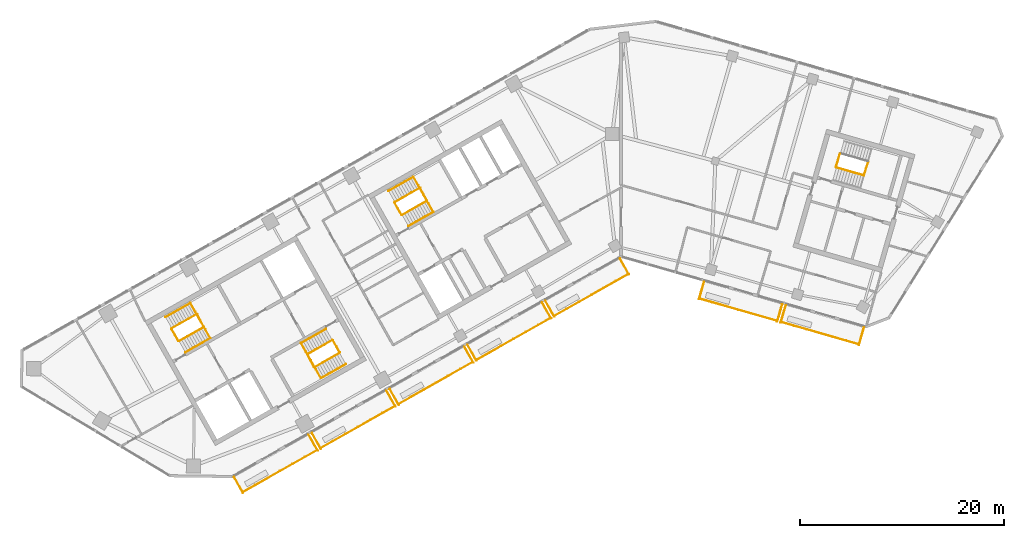
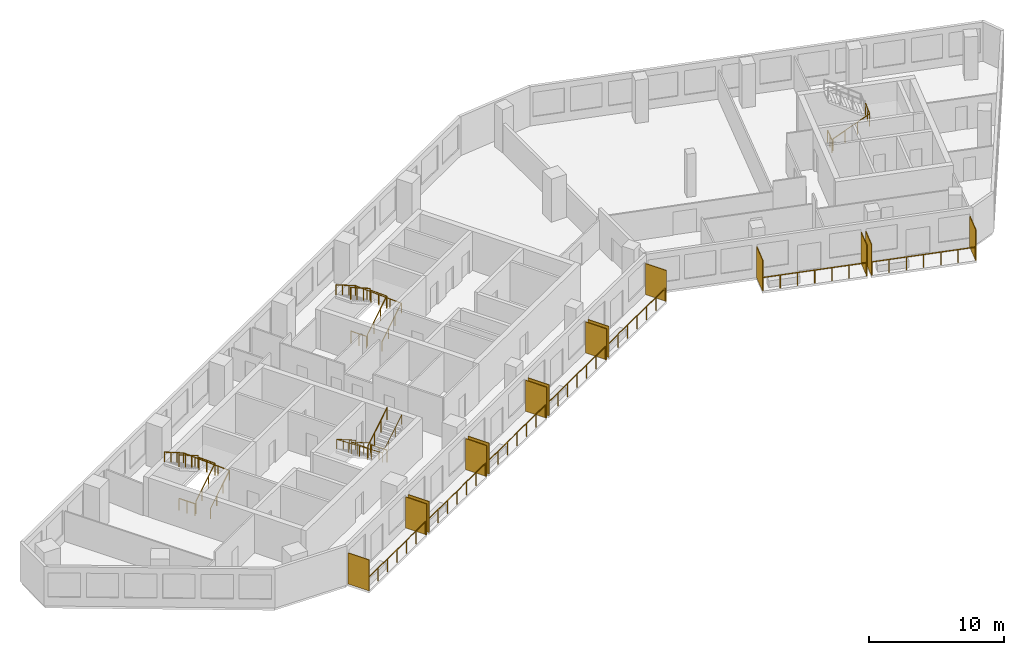
# One storey, part 9 of 11: 21 railings, 14 shading devices.
"""IFC4 building model written with IfcOpenShell, lengths in metres."""

from ifc_helpers import new_model, si_unit, direction, frame, origin, origin_2d, place, context, subcontext, project, spatial, rectangle, circle, extrude, material, layer, layer_set, type_object, element, save


model = new_model("IFC4")

# Units and contexts
model_context = context("Model", 3, precision=1e-05, world=origin(), true_north=direction((0.0, 1.0)))
body_context = subcontext(model_context, "Body", "Model", "MODEL_VIEW")
ifc_project = project(units=[si_unit("LENGTHUNIT", "METRE"), si_unit("AREAUNIT", "SQUARE_METRE"), si_unit("VOLUMEUNIT", "CUBIC_METRE"), si_unit("PLANEANGLEUNIT", "RADIAN"), si_unit("MASSUNIT", "GRAM", prefix="KILO")], contexts=[model_context])

# Site, building, storey
site_placement = place(None, origin())
site = spatial("IfcSite", under=ifc_project, at=site_placement, CompositionType="ELEMENT")
building_placement = place(site_placement, origin())
building = spatial("IfcBuilding", under=site, at=building_placement, Name="Binnacle Exchange Tower", CompositionType="ELEMENT")
storey_placement = place(building_placement, frame((0.0, 0.0, 227.0)))
storey = spatial("IfcBuildingStorey", under=building, at=storey_placement, Name="L50", CompositionType="ELEMENT", Elevation=227.0)

# Railings
ifc_material_1 = material(Name="Bronze anodised aluminium frame", Category="aluminium")
railing_type_1 = type_object("IfcRailingType", Name="GUARD 1200", PredefinedType="GUARDRAIL", material=ifc_material_1)
railing_1_placement = place(storey_placement, frame((-37.006591796875, 24.94287109375, 0.0)))
element("IfcRailing", 1, at=railing_1_placement, inside=storey, type_object=railing_type_1, Name="Balcony guard G01-B00 L50", PredefinedType="GUARDRAIL", context=body_context, shape_type="SweptSolid", body=[
    extrude(circle(Radius=0.02392578125, at=origin_2d()), frame((0.0, 0.0, 1.17578125), z_axis=(0.870353267448, 0.492427852424, 0.0), x_axis=(-0.492427852424, 0.870353267448, 0.0)), (0.0, 0.0, 1.0), 8.334716796875),
    extrude(circle(Radius=0.02099609375, at=origin_2d()), origin(), (0.0, 0.0, 1.0), 1.15185546875),
    extrude(circle(Radius=0.02099609375, at=origin_2d()), frame((1.208984375, 0.68408203125, 0.0)), (0.0, 0.0, 1.0), 1.15185546875),
    extrude(circle(Radius=0.02099609375, at=origin_2d()), frame((2.41796875, 1.3681640625, 0.0)), (0.0, 0.0, 1.0), 1.15185546875),
    extrude(circle(Radius=0.02099609375, at=origin_2d()), frame((3.626953125, 2.05224609375, 0.0)), (0.0, 0.0, 1.0), 1.15185546875),
    extrude(circle(Radius=0.02099609375, at=origin_2d()), frame((4.836181640625, 2.736083984375, 0.0)), (0.0, 0.0, 1.0), 1.15185546875),
    extrude(circle(Radius=0.02099609375, at=origin_2d()), frame((6.045166015625, 3.420166015625, 0.0)), (0.0, 0.0, 1.0), 1.15185546875),
    extrude(circle(Radius=0.02099609375, at=origin_2d()), frame((7.254150390625, 4.104248046875, 0.0)), (0.0, 0.0, 1.0), 1.15185546875),
])
railing_2_placement = place(storey_placement, frame((-29.386962890625, 29.25390625, 0.0)))
element("IfcRailing", 2, at=railing_2_placement, inside=storey, type_object=railing_type_1, Name="Balcony guard G01-B01 L50", PredefinedType="GUARDRAIL", context=body_context, shape_type="SweptSolid", body=[
    extrude(circle(Radius=0.02392578125, at=origin_2d()), frame((0.0, 0.0, 1.17578125), z_axis=(0.870365821494, 0.492405662818, 0.0), x_axis=(-0.492405662818, 0.870365821494, 0.0)), (0.0, 0.0, 1.0), 8.334716796875),
    extrude(circle(Radius=0.02099609375, at=origin_2d()), origin(), (0.0, 0.0, 1.0), 1.15185546875),
    extrude(circle(Radius=0.02099609375, at=origin_2d()), frame((1.208984375, 0.68408203125, 0.0)), (0.0, 0.0, 1.0), 1.15185546875),
    extrude(circle(Radius=0.02099609375, at=origin_2d()), frame((2.41796875, 1.367919921875, 0.0)), (0.0, 0.0, 1.0), 1.15185546875),
    extrude(circle(Radius=0.02099609375, at=origin_2d()), frame((3.626953125, 2.052001953125, 0.0)), (0.0, 0.0, 1.0), 1.15185546875),
    extrude(circle(Radius=0.02099609375, at=origin_2d()), frame((4.836181640625, 2.736083984375, 0.0)), (0.0, 0.0, 1.0), 1.15185546875),
    extrude(circle(Radius=0.02099609375, at=origin_2d()), frame((6.045166015625, 3.419921875, 0.0)), (0.0, 0.0, 1.0), 1.15185546875),
    extrude(circle(Radius=0.02099609375, at=origin_2d()), frame((7.254150390625, 4.10400390625, 0.0)), (0.0, 0.0, 1.0), 1.15185546875),
])
for number, where, name in (
    (3, (-21.767333984375, 33.564697265625, 0.0), "Balcony guard G01-B02 L50"),
    (4, (-14.147705078125, 37.875732421875, 0.0), "Balcony guard G01-B03 L50"),
):
    element("IfcRailing", number, at=place(storey_placement, frame(where)), inside=storey, type_object=railing_type_1, Name=name, PredefinedType="GUARDRAIL", context=body_context, shape_type="SweptSolid", body=[
        extrude(circle(Radius=0.02392578125, at=origin_2d()), frame((0.0, 0.0, 1.17578125), z_axis=(0.8703461643, 0.49244040684, 0.0), x_axis=(-0.49244040684, 0.8703461643, 0.0)), (0.0, 0.0, 1.0), 8.33447265625),
        extrude(circle(Radius=0.02099609375, at=origin_2d()), origin(), (0.0, 0.0, 1.0), 1.15185546875),
        extrude(circle(Radius=0.02099609375, at=origin_2d()), frame((1.208984375, 0.68408203125, 0.0)), (0.0, 0.0, 1.0), 1.15185546875),
        extrude(circle(Radius=0.02099609375, at=origin_2d()), frame((2.41796875, 1.3681640625, 0.0)), (0.0, 0.0, 1.0), 1.15185546875),
        extrude(circle(Radius=0.02099609375, at=origin_2d()), frame((3.626953125, 2.05224609375, 0.0)), (0.0, 0.0, 1.0), 1.15185546875),
        extrude(circle(Radius=0.02099609375, at=origin_2d()), frame((4.8359375, 2.736083984375, 0.0)), (0.0, 0.0, 1.0), 1.15185546875),
        extrude(circle(Radius=0.02099609375, at=origin_2d()), frame((6.044921875, 3.420166015625, 0.0)), (0.0, 0.0, 1.0), 1.15185546875),
        extrude(circle(Radius=0.02099609375, at=origin_2d()), frame((7.25390625, 4.104248046875, 0.0)), (0.0, 0.0, 1.0), 1.15185546875),
    ])
railing_3_placement = place(storey_placement, frame((-6.5283203125, 42.186767578125, 0.0)))
element("IfcRailing", 5, at=railing_3_placement, inside=storey, type_object=railing_type_1, Name="Balcony guard G01-B04 L50", PredefinedType="GUARDRAIL", context=body_context, shape_type="SweptSolid", body=[
    extrude(circle(Radius=0.02392578125, at=origin_2d()), frame((0.0, 0.0, 1.17578125), z_axis=(0.870365821494, 0.492405662818, 0.0), x_axis=(-0.492405662818, 0.870365821494, 0.0)), (0.0, 0.0, 1.0), 8.334716796875),
    extrude(circle(Radius=0.02099609375, at=origin_2d()), origin(), (0.0, 0.0, 1.0), 1.15185546875),
    extrude(circle(Radius=0.02099609375, at=origin_2d()), frame((1.208984375, 0.68408203125, 0.0)), (0.0, 0.0, 1.0), 1.15185546875),
    extrude(circle(Radius=0.02099609375, at=origin_2d()), frame((2.41796875, 1.367919921875, 0.0)), (0.0, 0.0, 1.0), 1.15185546875),
    extrude(circle(Radius=0.02099609375, at=origin_2d()), frame((3.626953125, 2.052001953125, 0.0)), (0.0, 0.0, 1.0), 1.15185546875),
    extrude(circle(Radius=0.02099609375, at=origin_2d()), frame((4.836181640625, 2.736083984375, 0.0)), (0.0, 0.0, 1.0), 1.15185546875),
    extrude(circle(Radius=0.02099609375, at=origin_2d()), frame((6.045166015625, 3.419921875, 0.0)), (0.0, 0.0, 1.0), 1.15185546875),
    extrude(circle(Radius=0.02099609375, at=origin_2d()), frame((7.254150390625, 4.10400390625, 0.0)), (0.0, 0.0, 1.0), 1.15185546875),
])
railing_4_placement = place(storey_placement, frame((7.69140625, 43.875244140625, 0.0)))
element("IfcRailing", 6, at=railing_4_placement, inside=storey, type_object=railing_type_1, Name="Balcony guard G02-B01 L50", PredefinedType="GUARDRAIL", context=body_context, shape_type="SweptSolid", body=[
    extrude(circle(Radius=0.02392578125, at=origin_2d()), frame((0.0, 0.0, 1.17578125), z_axis=(0.961259965977, -0.275643388836, 0.0), x_axis=(0.275643388836, 0.961259965977, 0.0)), (0.0, 0.0, 1.0), 7.900634765625),
    extrude(circle(Radius=0.02099609375, at=origin_2d()), origin(), (0.0, 0.0, 1.0), 1.15185546875),
    extrude(circle(Radius=0.02099609375, at=origin_2d()), frame((1.265625, -0.363037109375, 0.0)), (0.0, 0.0, 1.0), 1.15185546875),
    extrude(circle(Radius=0.02099609375, at=origin_2d()), frame((2.531494140625, -0.725830078125, 0.0)), (0.0, 0.0, 1.0), 1.15185546875),
    extrude(circle(Radius=0.02099609375, at=origin_2d()), frame((3.79736328125, -1.0888671875, 0.0)), (0.0, 0.0, 1.0), 1.15185546875),
    extrude(circle(Radius=0.02099609375, at=origin_2d()), frame((5.06298828125, -1.451904296875, 0.0)), (0.0, 0.0, 1.0), 1.15185546875),
    extrude(circle(Radius=0.02099609375, at=origin_2d()), frame((6.32861328125, -1.814697265625, 0.0)), (0.0, 0.0, 1.0), 1.15185546875),
    extrude(circle(Radius=0.02099609375, at=origin_2d()), frame((7.594482421875, -2.177734375, 0.0)), (0.0, 0.0, 1.0), 1.15185546875),
])
railing_5_placement = place(storey_placement, frame((15.689453125, 41.581787109375, 0.0)))
element("IfcRailing", 7, at=railing_5_placement, inside=storey, type_object=railing_type_1, Name="Balcony guard G02-B02 L50", PredefinedType="GUARDRAIL", context=body_context, shape_type="SweptSolid", body=[
    extrude(circle(Radius=0.02392578125, at=origin_2d()), frame((0.0, 0.0, 1.17578125), z_axis=(0.961257617982, -0.275651576943, 0.0), x_axis=(0.275651576943, 0.961257617982, 0.0)), (0.0, 0.0, 1.0), 7.900390625),
    extrude(circle(Radius=0.02099609375, at=origin_2d()), origin(), (0.0, 0.0, 1.0), 1.15185546875),
    extrude(circle(Radius=0.02099609375, at=origin_2d()), frame((1.265625, -0.363037109375, 0.0)), (0.0, 0.0, 1.0), 1.15185546875),
    extrude(circle(Radius=0.02099609375, at=origin_2d()), frame((2.531494140625, -0.725830078125, 0.0)), (0.0, 0.0, 1.0), 1.15185546875),
    extrude(circle(Radius=0.02099609375, at=origin_2d()), frame((3.797119140625, -1.0888671875, 0.0)), (0.0, 0.0, 1.0), 1.15185546875),
    extrude(circle(Radius=0.02099609375, at=origin_2d()), frame((5.062744140625, -1.451904296875, 0.0)), (0.0, 0.0, 1.0), 1.15185546875),
    extrude(circle(Radius=0.02099609375, at=origin_2d()), frame((6.32861328125, -1.814697265625, 0.0)), (0.0, 0.0, 1.0), 1.15185546875),
    extrude(circle(Radius=0.02099609375, at=origin_2d()), frame((7.59423828125, -2.177734375, 0.0)), (0.0, 0.0, 1.0), 1.15185546875),
])

# Shading devices
ifc_material_2 = material(Name="Bronze aluminium louvre", Category="aluminium")
ifc_layer = layer(ifc_material_2, 0.06005859375)
ifc_layer_set = layer_set([ifc_layer], Name="PLANTED SCREEN 60x2800")
shading_device_type = type_object("IfcShadingDeviceType", Name="PLANTED SCREEN 60x2800", PredefinedType="USERDEFINED", material=ifc_layer_set)
for number, where, z_axis, x_axis, name in (
    (8, (-37.436279296875, 25.641845703125, 0.0), (0.0, 0.0, 1.0), (0.87035569594, 0.492423560103, 0.0), "Planted screen G01-B00a L50"),
    (9, (-30.130126953125, 29.775390625, 0.0), (0.0, 0.0, 1.0), (0.87035569594, 0.492423560103, 0.0), "Planted screen G01-B00b L50"),
    (10, (-29.81689453125, 29.95263671875, 0.0), (0.0, 0.0, 1.0), (0.87035569594, 0.492423560103, 0.0), "Planted screen G01-B01a L50"),
    (11, (-22.510498046875, 34.08642578125, 0.0), (0.0, 0.0, 1.0), (0.87035569594, 0.492423560103, 0.0), "Planted screen G01-B01b L50"),
    (12, (-22.197265625, 34.263671875, 0.0), (0.0, 0.0, 1.0), (0.87035569594, 0.492423560103, 0.0), "Planted screen G01-B02a L50"),
    (13, (-14.89111328125, 38.3974609375, 0.0), (0.0, 0.0, 1.0), (0.87035569594, 0.492423560103, 0.0), "Planted screen G01-B02b L50"),
    (14, (-14.57763671875, 38.57470703125, 0.0), (0.0, 0.0, 1.0), (0.87035569594, 0.492423560103, 0.0), "Planted screen G01-B03a L50"),
    (15, (-7.271484375, 42.70849609375, 0.0), (0.0, 0.0, 1.0), (0.87035569594, 0.492423560103, 0.0), "Planted screen G01-B03b L50"),
    (16, (-6.9580078125, 42.885498046875, 0.0), (0.0, 0.0, 1.0), (0.87035569594, 0.492423560103, 0.0), "Planted screen G01-B04a L50"),
    (17, (0.34814453125, 47.019287109375, 0.0), (0.0, 0.0, 1.0), (0.87035569594, 0.492423560103, 0.0), "Planted screen G01-B04b L50"),
    (18, (7.888671875, 44.671630859375, 0.0), (0.0, 0.0, 1.0), (0.961261695938, -0.275637355817, 0.0), "Planted screen G02-B01a L50"),
    (19, (15.54052734375, 42.4775390625, 0.0), (0.0, 0.0, 1.0), (0.961261695938, -0.275637355817, 0.0), "Planted screen G02-B01b L50"),
    (20, (15.88671875, 42.37841796875, 0.0), (0.0, 0.0, 1.0), (0.961261695938, -0.275637355817, 0.0), "Planted screen G02-B02a L50"),
    (21, (23.538818359375, 40.18408203125, 0.0), (0.0, 0.0, 1.0), (0.961261695938, -0.275637355817, 0.0), "Planted screen G02-B02b L50"),
):
    element("IfcShadingDevice", number, at=place(storey_placement, frame(where, z_axis=z_axis, x_axis=x_axis)), inside=storey, type_object=shading_device_type, Name=name, ObjectType="SCREEN", PredefinedType="USERDEFINED", context=body_context, shape_type="SweptSolid", body=[
        extrude(rectangle(XDim=0.06005859375, YDim=1.800048828125, at=origin_2d()), origin(), (0.0, 0.0, 1.0), 2.800048828125),
    ])

# Railings
ifc_material_3 = material(Name="Steel guard rail", Category="steel")
railing_type_2 = type_object("IfcRailingType", Name="STAIR GUARD 1100", PredefinedType="GUARDRAIL", material=ifc_material_3)
railing_6_placement = place(storey_placement, frame((-43.26171875, 39.71728515625, 0.17724609375)))
element("IfcRailing", 22, at=railing_6_placement, inside=storey, type_object=railing_type_2, Name="L50 STA1 stair guard 1", PredefinedType="GUARDRAIL", context=body_context, shape_type="SweptSolid", body=[
    extrude(circle(Radius=0.02392578125, at=origin_2d()), frame((0.0, 0.0, 1.076171875), z_axis=(0.735358749054, 0.416079564682, 0.534906819964), x_axis=(-0.492453686477, 0.870338650569, 0.0)), (0.0, 0.0, 1.0), 3.31396484375),
    extrude(circle(Radius=0.02392578125, at=origin_2d()), frame((2.43701171875, 1.37890625, 2.8486328125), z_axis=(-0.461100321709, 0.887348011391, 0.0), x_axis=(-0.887348011391, -0.461100321709, 0.0)), (0.0, 0.0, 1.0), 1.40087890625),
    extrude(circle(Radius=0.02099609375, at=origin_2d()), origin(), (0.0, 0.0, 1.0), 1.052001953125),
    extrude(circle(Radius=0.02099609375, at=origin_2d()), frame((0.812255859375, 0.459716796875, 0.5908203125)), (0.0, 0.0, 1.0), 1.052001953125),
    extrude(circle(Radius=0.02099609375, at=origin_2d()), frame((1.624755859375, 0.919189453125, 1.181884765625)), (0.0, 0.0, 1.0), 1.052001953125),
    extrude(circle(Radius=0.02099609375, at=origin_2d()), frame((2.43701171875, 1.37890625, 1.772705078125)), (0.0, 0.0, 1.0), 1.052001953125),
    extrude(circle(Radius=0.02099609375, at=origin_2d()), frame((2.114013671875, 2.00048828125, 1.772705078125)), (0.0, 0.0, 1.0), 1.052001953125),
    extrude(circle(Radius=0.02099609375, at=origin_2d()), frame((1.791015625, 2.6220703125, 1.772705078125)), (0.0, 0.0, 1.0), 1.052001953125),
])
railing_7_placement = place(storey_placement, frame((-41.538818359375, 42.358154296875, 2.127197265625)))
element("IfcRailing", 23, at=railing_7_placement, inside=storey, type_object=railing_type_2, Name="L50 STA1 stair guard 2", PredefinedType="GUARDRAIL", context=body_context, shape_type="SweptSolid", body=[
    extrude(circle(Radius=0.02392578125, at=origin_2d()), frame((0.0, 0.0, 1.076171875), z_axis=(-0.735358749054, -0.416079564682, 0.534906819964), x_axis=(0.492453686477, -0.870338650569, 0.0)), (0.0, 0.0, 1.0), 3.31396484375),
    extrude(circle(Radius=0.02099609375, at=origin_2d()), origin(), (0.0, 0.0, 1.0), 1.052001953125),
    extrude(circle(Radius=0.02099609375, at=origin_2d()), frame((-0.812255859375, -0.459716796875, 0.5908203125)), (0.0, 0.0, 1.0), 1.052001953125),
    extrude(circle(Radius=0.02099609375, at=origin_2d()), frame((-1.624755859375, -0.919189453125, 1.181884765625)), (0.0, 0.0, 1.0), 1.052001953125),
    extrude(circle(Radius=0.02099609375, at=origin_2d()), frame((-2.43701171875, -1.37890625, 1.772705078125)), (0.0, 0.0, 1.0), 1.052001953125),
])
railing_8_placement = place(storey_placement, frame((-43.329833984375, 39.736328125, 0.0)))
element("IfcRailing", 24, at=railing_8_placement, inside=storey, type_object=railing_type_2, Name="L50 STA1 stair guard 3", PredefinedType="GUARDRAIL", context=body_context, shape_type="SweptSolid", body=[
    extrude(circle(Radius=0.02392578125, at=origin_2d()), frame((0.0, 0.0, 1.076171875), z_axis=(-0.4924922531, 0.870316827734, 0.0), x_axis=(-0.870316827734, -0.4924922531, 0.0)), (0.0, 0.0, 1.0), 1.349853515625),
    extrude(circle(Radius=0.02099609375, at=origin_2d()), origin(), (0.0, 0.0, 1.0), 1.052001953125),
    extrude(circle(Radius=0.02099609375, at=origin_2d()), frame((-0.33251953125, 0.58740234375, 0.0)), (0.0, 0.0, 1.0), 1.052001953125),
    extrude(circle(Radius=0.02099609375, at=origin_2d()), frame((-0.664794921875, 1.1748046875, 0.0)), (0.0, 0.0, 1.0), 1.052001953125),
])
railing_9_placement = place(storey_placement, frame((-28.265380859375, 39.814453125, 0.17724609375)))
element("IfcRailing", 25, at=railing_9_placement, inside=storey, type_object=railing_type_2, Name="L50 STA2 stair guard 1", PredefinedType="GUARDRAIL", context=body_context, shape_type="SweptSolid", body=[
    extrude(circle(Radius=0.02392578125, at=origin_2d()), frame((0.0, 0.0, 1.076171875), z_axis=(-0.735381288273, -0.416018647052, 0.534923215202), x_axis=(0.492387636113, -0.870376019777, 0.0)), (0.0, 0.0, 1.0), 3.31396484375),
    extrude(circle(Radius=0.02392578125, at=origin_2d()), frame((-2.43701171875, -1.378662109375, 2.8486328125), z_axis=(0.460963092712, -0.887419307406, 0.0), x_axis=(0.887419307406, 0.460963092712, 0.0)), (0.0, 0.0, 1.0), 1.40087890625),
    extrude(circle(Radius=0.02099609375, at=origin_2d()), origin(), (0.0, 0.0, 1.0), 1.052001953125),
    extrude(circle(Radius=0.02099609375, at=origin_2d()), frame((-0.812255859375, -0.45947265625, 0.5908203125)), (0.0, 0.0, 1.0), 1.052001953125),
    extrude(circle(Radius=0.02099609375, at=origin_2d()), frame((-1.624755859375, -0.919189453125, 1.181884765625)), (0.0, 0.0, 1.0), 1.052001953125),
    extrude(circle(Radius=0.02099609375, at=origin_2d()), frame((-2.43701171875, -1.378662109375, 1.772705078125)), (0.0, 0.0, 1.0), 1.052001953125),
    extrude(circle(Radius=0.02099609375, at=origin_2d()), frame((-2.1142578125, -2.000244140625, 1.772705078125)), (0.0, 0.0, 1.0), 1.052001953125),
    extrude(circle(Radius=0.02099609375, at=origin_2d()), frame((-1.791259765625, -2.621826171875, 1.772705078125)), (0.0, 0.0, 1.0), 1.052001953125),
])
railing_10_placement = place(storey_placement, frame((-29.988525390625, 37.173583984375, 2.127197265625)))
element("IfcRailing", 26, at=railing_10_placement, inside=storey, type_object=railing_type_2, Name="L50 STA2 stair guard 2", PredefinedType="GUARDRAIL", context=body_context, shape_type="SweptSolid", body=[
    extrude(circle(Radius=0.02392578125, at=origin_2d()), frame((0.0, 0.0, 1.076171875), z_axis=(0.735358749054, 0.416079564682, 0.534906819964), x_axis=(-0.492453686477, 0.870338650569, 0.0)), (0.0, 0.0, 1.0), 3.31396484375),
    extrude(circle(Radius=0.02099609375, at=origin_2d()), origin(), (0.0, 0.0, 1.0), 1.052001953125),
    extrude(circle(Radius=0.02099609375, at=origin_2d()), frame((0.812255859375, 0.459716796875, 0.5908203125)), (0.0, 0.0, 1.0), 1.052001953125),
    extrude(circle(Radius=0.02099609375, at=origin_2d()), frame((1.624755859375, 0.919189453125, 1.181884765625)), (0.0, 0.0, 1.0), 1.052001953125),
    extrude(circle(Radius=0.02099609375, at=origin_2d()), frame((2.43701171875, 1.37890625, 1.772705078125)), (0.0, 0.0, 1.0), 1.052001953125),
])
railing_11_placement = place(storey_placement, frame((-28.197265625, 39.795654296875, 0.0)))
element("IfcRailing", 27, at=railing_11_placement, inside=storey, type_object=railing_type_2, Name="L50 STA2 stair guard 3", PredefinedType="GUARDRAIL", context=body_context, shape_type="SweptSolid", body=[
    extrude(circle(Radius=0.02392578125, at=origin_2d()), frame((0.0, 0.0, 1.076171875), z_axis=(0.49241474071, -0.870360685654, 0.0), x_axis=(0.870360685654, 0.49241474071, 0.0)), (0.0, 0.0, 1.0), 1.35009765625),
    extrude(circle(Radius=0.02099609375, at=origin_2d()), origin(), (0.0, 0.0, 1.0), 1.052001953125),
    extrude(circle(Radius=0.02099609375, at=origin_2d()), frame((0.33251953125, -0.58740234375, 0.0)), (0.0, 0.0, 1.0), 1.052001953125),
    extrude(circle(Radius=0.02099609375, at=origin_2d()), frame((0.664794921875, -1.175048828125, 0.0)), (0.0, 0.0, 1.0), 1.052001953125),
])
railing_12_placement = place(storey_placement, frame((-21.423828125, 52.07275390625, 0.17724609375)))
element("IfcRailing", 28, at=railing_12_placement, inside=storey, type_object=railing_type_2, Name="L50 STC1 stair guard 1", PredefinedType="GUARDRAIL", context=body_context, shape_type="SweptSolid", body=[
    extrude(circle(Radius=0.02392578125, at=origin_2d()), frame((0.0, 0.0, 1.076171875), z_axis=(0.735381288273, 0.416018647052, 0.534923215202), x_axis=(-0.492387636113, 0.870376019777, 0.0)), (0.0, 0.0, 1.0), 3.31396484375),
    extrude(circle(Radius=0.02392578125, at=origin_2d()), frame((2.43701171875, 1.378662109375, 2.8486328125), z_axis=(-0.460963092712, 0.887419307406, 0.0), x_axis=(-0.887419307406, -0.460963092712, 0.0)), (0.0, 0.0, 1.0), 1.40087890625),
    extrude(circle(Radius=0.02099609375, at=origin_2d()), origin(), (0.0, 0.0, 1.0), 1.052001953125),
    extrude(circle(Radius=0.02099609375, at=origin_2d()), frame((0.812255859375, 0.45947265625, 0.5908203125)), (0.0, 0.0, 1.0), 1.052001953125),
    extrude(circle(Radius=0.02099609375, at=origin_2d()), frame((1.624755859375, 0.919189453125, 1.181884765625)), (0.0, 0.0, 1.0), 1.052001953125),
    extrude(circle(Radius=0.02099609375, at=origin_2d()), frame((2.43701171875, 1.378662109375, 1.772705078125)), (0.0, 0.0, 1.0), 1.052001953125),
    extrude(circle(Radius=0.02099609375, at=origin_2d()), frame((2.1142578125, 2.000244140625, 1.772705078125)), (0.0, 0.0, 1.0), 1.052001953125),
    extrude(circle(Radius=0.02099609375, at=origin_2d()), frame((1.791259765625, 2.621826171875, 1.772705078125)), (0.0, 0.0, 1.0), 1.052001953125),
])
railing_13_placement = place(storey_placement, frame((-19.70068359375, 54.71337890625, 2.127197265625)))
element("IfcRailing", 29, at=railing_13_placement, inside=storey, type_object=railing_type_2, Name="L50 STC1 stair guard 2", PredefinedType="GUARDRAIL", context=body_context, shape_type="SweptSolid", body=[
    extrude(circle(Radius=0.02392578125, at=origin_2d()), frame((0.0, 0.0, 1.076171875), z_axis=(-0.735381288273, -0.416018647052, 0.534923215202), x_axis=(0.492387636113, -0.870376019777, 0.0)), (0.0, 0.0, 1.0), 3.31396484375),
    extrude(circle(Radius=0.02099609375, at=origin_2d()), origin(), (0.0, 0.0, 1.0), 1.052001953125),
    extrude(circle(Radius=0.02099609375, at=origin_2d()), frame((-0.812255859375, -0.45947265625, 0.5908203125)), (0.0, 0.0, 1.0), 1.052001953125),
    extrude(circle(Radius=0.02099609375, at=origin_2d()), frame((-1.624755859375, -0.919189453125, 1.181884765625)), (0.0, 0.0, 1.0), 1.052001953125),
    extrude(circle(Radius=0.02099609375, at=origin_2d()), frame((-2.43701171875, -1.378662109375, 1.772705078125)), (0.0, 0.0, 1.0), 1.052001953125),
])
railing_14_placement = place(storey_placement, frame((-21.491943359375, 52.091552734375, 0.0)))
element("IfcRailing", 30, at=railing_14_placement, inside=storey, type_object=railing_type_2, Name="L50 STC1 stair guard 3", PredefinedType="GUARDRAIL", context=body_context, shape_type="SweptSolid", body=[
    extrude(circle(Radius=0.02392578125, at=origin_2d()), frame((0.0, 0.0, 1.076171875), z_axis=(-0.49241474071, 0.870360685654, 0.0), x_axis=(-0.870360685654, -0.49241474071, 0.0)), (0.0, 0.0, 1.0), 1.35009765625),
    extrude(circle(Radius=0.02099609375, at=origin_2d()), origin(), (0.0, 0.0, 1.0), 1.052001953125),
    extrude(circle(Radius=0.02099609375, at=origin_2d()), frame((-0.33251953125, 0.58740234375, 0.0)), (0.0, 0.0, 1.0), 1.052001953125),
    extrude(circle(Radius=0.02099609375, at=origin_2d()), frame((-0.664794921875, 1.175048828125, 0.0)), (0.0, 0.0, 1.0), 1.052001953125),
])
railing_15_placement = place(storey_placement, frame((21.086669921875, 56.71044921875, 0.17724609375)))
element("IfcRailing", 31, at=railing_15_placement, inside=storey, type_object=railing_type_2, Name="L50 STD1 stair guard 1", PredefinedType="GUARDRAIL", context=body_context, shape_type="SweptSolid", body=[
    extrude(circle(Radius=0.02392578125, at=origin_2d()), frame((0.0, 0.0, 1.076171875), z_axis=(0.81215085225, -0.232948203448, 0.534926282491), x_axis=(0.275711388614, 0.96124046429, 0.0)), (0.0, 0.0, 1.0), 3.31396484375),
    extrude(circle(Radius=0.02392578125, at=origin_2d()), frame((2.69140625, -0.77197265625, 2.8486328125), z_axis=(0.309842533299, 0.950787886208, 0.0), x_axis=(-0.950787886208, 0.309842533299, 0.0)), (0.0, 0.0, 1.0), 1.40087890625),
    extrude(circle(Radius=0.02099609375, at=origin_2d()), origin(), (0.0, 0.0, 1.0), 1.052001953125),
    extrude(circle(Radius=0.02099609375, at=origin_2d()), frame((0.897216796875, -0.25732421875, 0.5908203125)), (0.0, 0.0, 1.0), 1.052001953125),
    extrude(circle(Radius=0.02099609375, at=origin_2d()), frame((1.794189453125, -0.5146484375, 1.181884765625)), (0.0, 0.0, 1.0), 1.052001953125),
    extrude(circle(Radius=0.02099609375, at=origin_2d()), frame((2.69140625, -0.77197265625, 1.772705078125)), (0.0, 0.0, 1.0), 1.052001953125),
    extrude(circle(Radius=0.02099609375, at=origin_2d()), frame((2.908447265625, -0.10595703125, 1.772705078125)), (0.0, 0.0, 1.0), 1.052001953125),
    extrude(circle(Radius=0.02099609375, at=origin_2d()), frame((3.12548828125, 0.56005859375, 1.772705078125)), (0.0, 0.0, 1.0), 1.052001953125),
])
railing_16_placement = place(storey_placement, frame((21.05224609375, 56.772216796875, 0.0)))
element("IfcRailing", 32, at=railing_16_placement, inside=storey, type_object=railing_type_2, Name="L50 STD1 stair guard 3", PredefinedType="GUARDRAIL", context=body_context, shape_type="SweptSolid", body=[
    extrude(circle(Radius=0.02392578125, at=origin_2d()), frame((0.0, 0.0, 1.076171875), z_axis=(0.275795817769, 0.961216243569, 0.0), x_axis=(-0.961216243569, 0.275795817769, 0.0)), (0.0, 0.0, 1.0), 1.349853515625),
    extrude(circle(Radius=0.02099609375, at=origin_2d()), origin(), (0.0, 0.0, 1.0), 1.052001953125),
    extrude(circle(Radius=0.02099609375, at=origin_2d()), frame((0.18603515625, 0.64892578125, 0.0)), (0.0, 0.0, 1.0), 1.052001953125),
    extrude(circle(Radius=0.02099609375, at=origin_2d()), frame((0.372314453125, 1.297607421875, 0.0)), (0.0, 0.0, 1.0), 1.052001953125),
])
ifc_material_4 = material(Name="Steel handrail", Category="steel")
railing_type_3 = type_object("IfcRailingType", Name="STAIR HANDRAIL 900", PredefinedType="HANDRAIL", material=ifc_material_4)
railing_17_placement = place(storey_placement, frame((-42.646240234375, 38.62939453125, 0.17724609375)))
element("IfcRailing", 33, at=railing_17_placement, inside=storey, type_object=railing_type_3, Name="L50 STA1 stair handrail 1", PredefinedType="HANDRAIL", context=body_context, shape_type="SweptSolid", body=[
    extrude(circle(Radius=0.02392578125, at=origin_2d()), frame((0.0, 0.0, 0.8759765625), z_axis=(0.735381288273, 0.416018647052, 0.534923215202), x_axis=(-0.492387636113, 0.870376019777, 0.0)), (0.0, 0.0, 1.0), 3.31396484375),
    extrude(circle(Radius=0.02392578125, at=origin_2d()), frame((2.43701171875, 1.378662109375, 2.6484375), z_axis=(-0.491918640963, 0.869486419234, 0.044826526087), x_axis=(-0.870361318571, -0.492413622004, 0.0)), (0.0, 0.0, 1.0), 3.9541015625),
    extrude(circle(Radius=0.02392578125, at=origin_2d()), frame((0.491943359375, 4.816650390625, 2.82568359375), z_axis=(-0.735381288273, -0.416018647052, 0.534923215202), x_axis=(0.492387636113, -0.870376019777, 0.0)), (0.0, 0.0, 1.0), 3.31396484375),
    extrude(circle(Radius=0.02099609375, at=origin_2d()), origin(), (0.0, 0.0, 1.0), 0.851806640625),
    extrude(circle(Radius=0.02099609375, at=origin_2d()), frame((0.812255859375, 0.45947265625, 0.5908203125)), (0.0, 0.0, 1.0), 0.851806640625),
    extrude(circle(Radius=0.02099609375, at=origin_2d()), frame((1.624755859375, 0.919189453125, 1.181884765625)), (0.0, 0.0, 1.0), 0.851806640625),
    extrude(circle(Radius=0.02099609375, at=origin_2d()), frame((2.43701171875, 1.378662109375, 1.772705078125)), (0.0, 0.0, 1.0), 0.851806640625),
    extrude(circle(Radius=0.02099609375, at=origin_2d()), frame((1.95068359375, 2.23828125, 1.81689453125)), (0.0, 0.0, 1.0), 0.851806640625),
    extrude(circle(Radius=0.02099609375, at=origin_2d()), frame((1.46435546875, 3.09765625, 1.861328125)), (0.0, 0.0, 1.0), 0.851806640625),
    extrude(circle(Radius=0.02099609375, at=origin_2d()), frame((0.978271484375, 3.95703125, 1.90576171875)), (0.0, 0.0, 1.0), 0.851806640625),
    extrude(circle(Radius=0.02099609375, at=origin_2d()), frame((0.491943359375, 4.816650390625, 1.949951171875)), (0.0, 0.0, 1.0), 0.851806640625),
    extrude(circle(Radius=0.02099609375, at=origin_2d()), frame((-0.3203125, 4.357177734375, 2.540771484375)), (0.0, 0.0, 1.0), 0.851806640625),
    extrude(circle(Radius=0.02099609375, at=origin_2d()), frame((-1.1328125, 3.8974609375, 3.1318359375)), (0.0, 0.0, 1.0), 0.851806640625),
    extrude(circle(Radius=0.02099609375, at=origin_2d()), frame((-1.945068359375, 3.43798828125, 3.72265625)), (0.0, 0.0, 1.0), 0.851806640625),
])
railing_18_placement = place(storey_placement, frame((-28.880859375, 40.90234375, 0.17724609375)))
element("IfcRailing", 34, at=railing_18_placement, inside=storey, type_object=railing_type_3, Name="L50 STA2 stair handrail 1", PredefinedType="HANDRAIL", context=body_context, shape_type="SweptSolid", body=[
    extrude(circle(Radius=0.02392578125, at=origin_2d()), frame((0.0, 0.0, 0.8759765625), z_axis=(-0.735381288273, -0.416018647052, 0.534923215202), x_axis=(0.492387636113, -0.870376019777, 0.0)), (0.0, 0.0, 1.0), 3.31396484375),
    extrude(circle(Radius=0.02392578125, at=origin_2d()), frame((-2.43701171875, -1.378662109375, 2.6484375), z_axis=(0.491918640963, -0.869486419234, 0.044826526087), x_axis=(0.870361318571, 0.492413622004, 0.0)), (0.0, 0.0, 1.0), 3.9541015625),
    extrude(circle(Radius=0.02392578125, at=origin_2d()), frame((-0.491943359375, -4.816650390625, 2.82568359375), z_axis=(0.735358749054, 0.416079564682, 0.534906819964), x_axis=(-0.492453686477, 0.870338650569, 0.0)), (0.0, 0.0, 1.0), 3.31396484375),
    extrude(circle(Radius=0.02099609375, at=origin_2d()), origin(), (0.0, 0.0, 1.0), 0.851806640625),
    extrude(circle(Radius=0.02099609375, at=origin_2d()), frame((-0.812255859375, -0.45947265625, 0.5908203125)), (0.0, 0.0, 1.0), 0.851806640625),
    extrude(circle(Radius=0.02099609375, at=origin_2d()), frame((-1.624755859375, -0.919189453125, 1.181884765625)), (0.0, 0.0, 1.0), 0.851806640625),
    extrude(circle(Radius=0.02099609375, at=origin_2d()), frame((-2.43701171875, -1.378662109375, 1.772705078125)), (0.0, 0.0, 1.0), 0.851806640625),
    extrude(circle(Radius=0.02099609375, at=origin_2d()), frame((-1.95068359375, -2.23828125, 1.81689453125)), (0.0, 0.0, 1.0), 0.851806640625),
    extrude(circle(Radius=0.02099609375, at=origin_2d()), frame((-1.46435546875, -3.09765625, 1.861328125)), (0.0, 0.0, 1.0), 0.851806640625),
    extrude(circle(Radius=0.02099609375, at=origin_2d()), frame((-0.978271484375, -3.95703125, 1.90576171875)), (0.0, 0.0, 1.0), 0.851806640625),
    extrude(circle(Radius=0.02099609375, at=origin_2d()), frame((-0.491943359375, -4.816650390625, 1.949951171875)), (0.0, 0.0, 1.0), 0.851806640625),
    extrude(circle(Radius=0.02099609375, at=origin_2d()), frame((0.3203125, -4.35693359375, 2.540771484375)), (0.0, 0.0, 1.0), 0.851806640625),
    extrude(circle(Radius=0.02099609375, at=origin_2d()), frame((1.1328125, -3.8974609375, 3.1318359375)), (0.0, 0.0, 1.0), 0.851806640625),
    extrude(circle(Radius=0.02099609375, at=origin_2d()), frame((1.945068359375, -3.437744140625, 3.72265625)), (0.0, 0.0, 1.0), 0.851806640625),
])
railing_19_placement = place(storey_placement, frame((-20.808349609375, 50.984619140625, 0.17724609375)))
element("IfcRailing", 35, at=railing_19_placement, inside=storey, type_object=railing_type_3, Name="L50 STC1 stair handrail 1", PredefinedType="HANDRAIL", context=body_context, shape_type="SweptSolid", body=[
    extrude(circle(Radius=0.02392578125, at=origin_2d()), frame((0.0, 0.0, 0.8759765625), z_axis=(0.735358749054, 0.416079564682, 0.534906819964), x_axis=(-0.492453686477, 0.870338650569, 0.0)), (0.0, 0.0, 1.0), 3.31396484375),
    extrude(circle(Radius=0.02392578125, at=origin_2d()), frame((2.43701171875, 1.37890625, 2.6484375), z_axis=(-0.491945051309, 0.869471352766, 0.044828932754), x_axis=(-0.87034633103, -0.492440112159, 0.0)), (0.0, 0.0, 1.0), 3.953857421875),
    extrude(circle(Radius=0.02392578125, at=origin_2d()), frame((0.491943359375, 4.816650390625, 2.82568359375), z_axis=(-0.735381288273, -0.416018647052, 0.534923215202), x_axis=(0.492387636113, -0.870376019777, 0.0)), (0.0, 0.0, 1.0), 3.31396484375),
    extrude(circle(Radius=0.02099609375, at=origin_2d()), origin(), (0.0, 0.0, 1.0), 0.851806640625),
    extrude(circle(Radius=0.02099609375, at=origin_2d()), frame((0.812255859375, 0.459716796875, 0.5908203125)), (0.0, 0.0, 1.0), 0.851806640625),
    extrude(circle(Radius=0.02099609375, at=origin_2d()), frame((1.624755859375, 0.919189453125, 1.181884765625)), (0.0, 0.0, 1.0), 0.851806640625),
    extrude(circle(Radius=0.02099609375, at=origin_2d()), frame((2.43701171875, 1.37890625, 1.772705078125)), (0.0, 0.0, 1.0), 0.851806640625),
    extrude(circle(Radius=0.02099609375, at=origin_2d()), frame((1.95068359375, 2.23828125, 1.81689453125)), (0.0, 0.0, 1.0), 0.851806640625),
    extrude(circle(Radius=0.02099609375, at=origin_2d()), frame((1.46435546875, 3.09765625, 1.861328125)), (0.0, 0.0, 1.0), 0.851806640625),
    extrude(circle(Radius=0.02099609375, at=origin_2d()), frame((0.978271484375, 3.957275390625, 1.90576171875)), (0.0, 0.0, 1.0), 0.851806640625),
    extrude(circle(Radius=0.02099609375, at=origin_2d()), frame((0.491943359375, 4.816650390625, 1.949951171875)), (0.0, 0.0, 1.0), 0.851806640625),
    extrude(circle(Radius=0.02099609375, at=origin_2d()), frame((-0.3203125, 4.357177734375, 2.540771484375)), (0.0, 0.0, 1.0), 0.851806640625),
    extrude(circle(Radius=0.02099609375, at=origin_2d()), frame((-1.1328125, 3.8974609375, 3.1318359375)), (0.0, 0.0, 1.0), 0.851806640625),
    extrude(circle(Radius=0.02099609375, at=origin_2d()), frame((-1.945068359375, 3.43798828125, 3.72265625)), (0.0, 0.0, 1.0), 0.851806640625),
])

save(model, "model.ifc")
